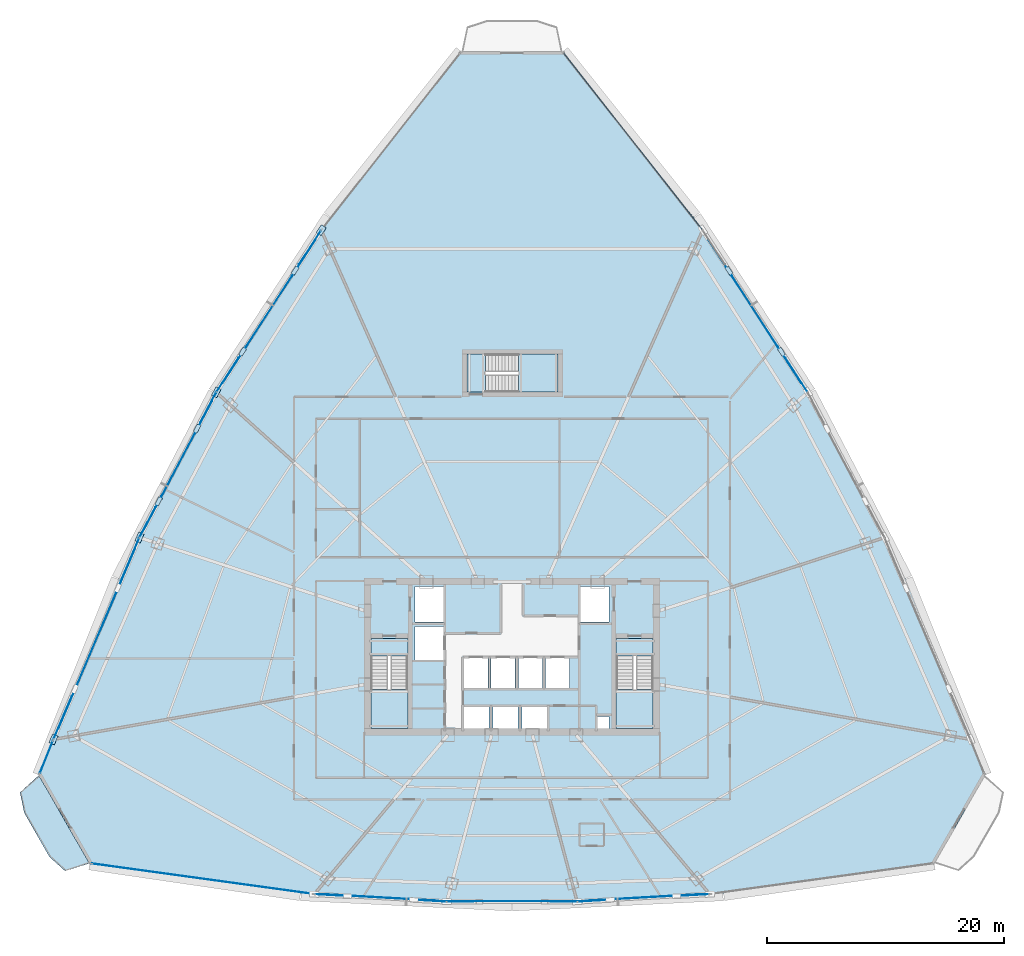
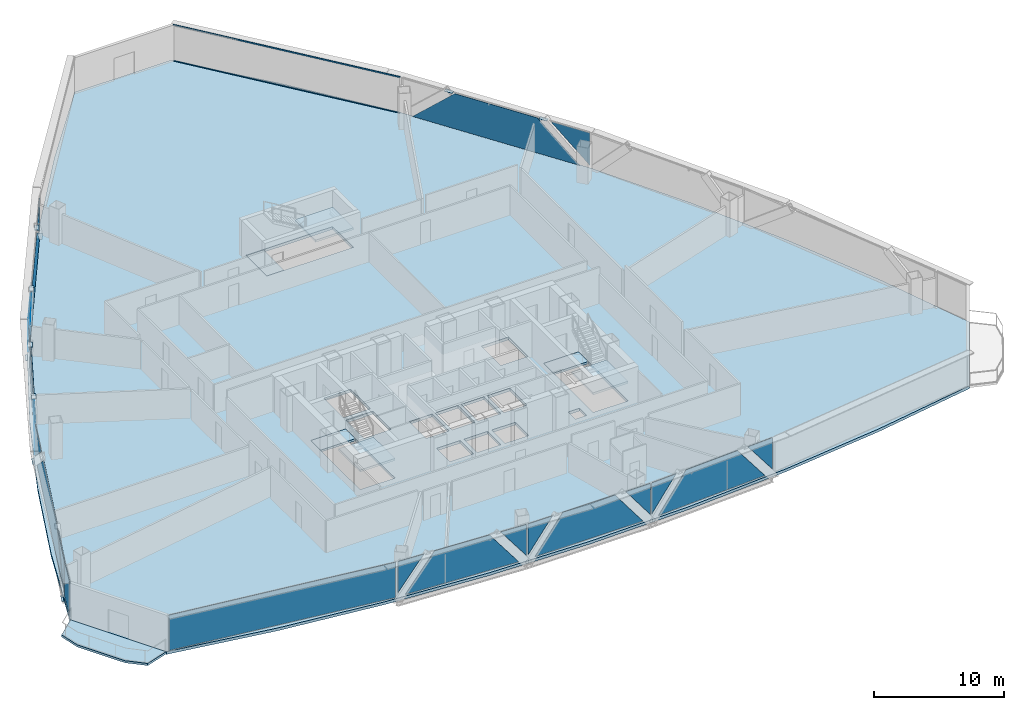
# One storey, part 30 of 39: 32 plates, 8 slabs, 2 members, 13 elements without a shape of their own.
"""IFC4 building model written with IfcOpenShell, lengths in metres."""

from ifc_helpers import new_model, si_unit, direction, frame, origin, origin_2d, place, context, subcontext, project, spatial, polyline, rectangle, hollow_rectangle, outline, extrude, source, transform, mapped, material, layer, layer_set, material_profile, profile_set, type_object, element, aggregate, save


model = new_model("IFC4")

# Units and contexts
model_context = context("Model", 3, precision=1e-05, world=origin(), true_north=direction((0.0, 1.0)))
body_context = subcontext(model_context, "Body", "Model", "MODEL_VIEW")
ifc_project = project(units=[si_unit("LENGTHUNIT", "METRE"), si_unit("AREAUNIT", "SQUARE_METRE"), si_unit("VOLUMEUNIT", "CUBIC_METRE"), si_unit("PLANEANGLEUNIT", "RADIAN"), si_unit("MASSUNIT", "GRAM", prefix="KILO"), si_unit("THERMODYNAMICTEMPERATUREUNIT", "KELVIN"), si_unit("POWERUNIT", "WATT")], contexts=[model_context])

# Site, building, storey
site_placement = place(None, origin())
site = spatial("IfcSite", under=ifc_project, at=site_placement, CompositionType="ELEMENT")
building_placement = place(site_placement, origin())
building = spatial("IfcBuilding", under=site, at=building_placement, Name="Yunzhuo Pagoda Commons", CompositionType="ELEMENT")
storey_placement = place(building_placement, frame((0.0, 0.0, 144.550048828125)))
storey = spatial("IfcBuildingStorey", under=building, at=storey_placement, Name="L36", CompositionType="ELEMENT", Elevation=144.550048828125)

# Curtain wall, members
ifc_material_1 = material(Name="Anodized aluminium 6063-T6", Category="aluminium")
ifc_layer_1 = layer(ifc_material_1, 0.14990234375)
ifc_layer_set_1 = layer_set([ifc_layer_1], Name="Anodized aluminium 6063-T6")
curtain_wall_type = type_object("IfcCurtainWallType", Name="CW-MID Mid-Zone Ribbon Curtain Wall", PredefinedType="NOTDEFINED", material=ifc_layer_set_1)
curtain_wall_1_placement = place(storey_placement, origin())
curtain_wall_1 = element("IfcCurtainWall", 1, at=curtain_wall_1_placement, inside=storey, type_object=curtain_wall_type, Name="L36 curtain wall CW-L36-F2B5", PredefinedType="NOTDEFINED")
ifc_material_profile = material_profile(ifc_material_1, hollow_rectangle(XDim=0.054931640625, YDim=0.1298828125, WallThickness=0.00341796875, at=origin_2d()), Name="Anodized aluminium 6063-T6")
ifc_profile_set = profile_set([ifc_material_profile], Name="Anodized aluminium 6063-T6")
member_type = type_object("IfcMemberType", Name="CW-MID-T Transom RHS 130x55x3.5", PredefinedType="USERDEFINED", material=ifc_profile_set)
shared_shape_1 = source(origin(), body_context, "Body", "SweptSolid", [
    extrude(hollow_rectangle(XDim=0.054931640625, YDim=0.1298828125, WallThickness=0.00341796875, at=origin_2d()), origin(), (0.0, 0.0, 1.0), 18.82861328125),
])
member_1_placement = place(storey_placement, frame((64.017578125, 69.96923828125, 0.02734375), z_axis=(-0.617384524017, 0.786661521561, 0.0), x_axis=(-0.786661521561, -0.617384524017, 0.0)))
member_1 = element("IfcMember", 2, at=member_1_placement, type_object=member_type, Name="CW transom 1.1", ObjectType="TRANSOM", PredefinedType="USERDEFINED", context=body_context, shape_type="MappedRepresentation", body=[
    mapped(shared_shape_1, transform((0.0, 0.0, 0.0), scale=1.0)),
])
member_2_placement = place(storey_placement, frame((64.017578125, 69.96923828125, 3.392333984375), z_axis=(-0.617384524017, 0.786661521561, 0.0), x_axis=(-0.786661521561, -0.617384524017, 0.0)))
member_2 = element("IfcMember", 3, at=member_2_placement, type_object=member_type, Name="CW transom 1.2", ObjectType="TRANSOM", PredefinedType="USERDEFINED", context=body_context, shape_type="MappedRepresentation", body=[
    mapped(shared_shape_1, transform((0.0, 0.0, 0.0), scale=1.0)),
])
aggregate(curtain_wall_1, [member_1, member_2])

# Curtain wall, plates
curtain_wall_2_placement = place(storey_placement, origin())
curtain_wall_2 = element("IfcCurtainWall", 4, at=curtain_wall_2_placement, inside=storey, type_object=curtain_wall_type, Name="L36 curtain wall CW-L36-F1B2", PredefinedType="NOTDEFINED")
ifc_material_2 = material(Name="Tempered low-e double glazing", Category="glass")
ifc_layer_2 = layer(ifc_material_2, 0.028076171875)
ifc_layer_set_2 = layer_set([ifc_layer_2], Name="Tempered low-e double glazing")
plate_type_1 = type_object("IfcPlateType", Name="CW-MID-P Low-E Double Glazing 28", PredefinedType="CURTAIN_PANEL", material=ifc_layer_set_2)
plate_1_placement = place(storey_placement, frame((32.484130859375, 13.762451171875, 1.905517578125), z_axis=(-0.056597401536, -0.998397082397, 0.0), x_axis=(0.998397082397, -0.056597401536, 0.0)))
plate_1 = element("IfcPlate", 5, at=plate_1_placement, type_object=plate_type_1, Name="CW panel 1.1 lite 1", PredefinedType="CURTAIN_PANEL", context=body_context, shape_type="SweptSolid", body=[
    extrude(outline(polyline([(-1.11083984375, -1.45947265625), (1.11083984375, 1.45947265625), (-1.11083984375, 1.45947265625), (-1.11083984375, -1.45947265625)])), origin(), (0.0, 0.0, 1.0), 0.028076171875),
])
plate_2_placement = place(storey_placement, frame((36.91064453125, 13.541748046875, 1.7099609375), z_axis=(-0.056597401536, -0.998397082397, 0.0), x_axis=(0.998397082397, -0.056597401536, 0.0)))
plate_2 = element("IfcPlate", 6, at=plate_2_placement, type_object=plate_type_1, Name="CW panel 1.1 lite 2", PredefinedType="CURTAIN_PANEL", context=body_context, shape_type="SweptSolid", body=[
    extrude(outline(polyline([(-4.885498046875, -1.655029296875), (4.885498046875, -1.655029296875), (2.365478515625, 1.655029296875), (-2.365478515625, 1.655029296875), (-4.885498046875, -1.655029296875)])), origin(), (0.0, 0.0, 1.0), 0.028076171875),
])
plate_3_placement = place(storey_placement, frame((41.33349609375, 13.260986328125, 1.905517578125), z_axis=(-0.056597401536, -0.998397082397, 0.0), x_axis=(0.998397082397, -0.056597401536, 0.0)))
plate_3 = element("IfcPlate", 7, at=plate_3_placement, type_object=plate_type_1, Name="CW panel 1.1 lite 3", PredefinedType="CURTAIN_PANEL", context=body_context, shape_type="SweptSolid", body=[
    extrude(outline(polyline([(-1.11083984375, 1.45947265625), (1.11083984375, -1.45947265625), (1.11083984375, 1.45947265625), (-1.11083984375, 1.45947265625)])), origin(), (0.0, 0.0, 1.0), 0.028076171875),
])
aggregate(curtain_wall_2, [plate_1, plate_2, plate_3])

curtain_wall_3_placement = place(storey_placement, origin())
curtain_wall_3 = element("IfcCurtainWall", 8, at=curtain_wall_3_placement, inside=storey, type_object=curtain_wall_type, Name="L36 curtain wall CW-L36-F1B3", PredefinedType="NOTDEFINED")
plate_4_placement = place(storey_placement, frame((43.648681640625, 13.19482421875, 1.91015625), z_axis=(0.0, -1.0, 0.0), x_axis=(1.0, 0.0, 0.0)))
plate_4 = element("IfcPlate", 9, at=plate_4_placement, type_object=plate_type_1, Name="CW panel 1.1 lite 1", PredefinedType="CURTAIN_PANEL", context=body_context, shape_type="SweptSolid", body=[
    extrude(outline(polyline([(-1.0869140625, -1.454833984375), (1.0869140625, 1.454833984375), (-1.0869140625, 1.454833984375), (-1.0869140625, -1.454833984375)])), origin(), (0.0, 0.0, 1.0), 0.028076171875),
])
plate_5_placement = place(storey_placement, frame((48.0, 13.224609375, 1.7099609375), z_axis=(0.0, -1.0, 0.0), x_axis=(1.0, 0.0, 0.0)))
plate_5 = element("IfcPlate", 10, at=plate_5_placement, type_object=plate_type_1, Name="CW panel 1.1 lite 2", PredefinedType="CURTAIN_PANEL", context=body_context, shape_type="SweptSolid", body=[
    extrude(outline(polyline([(-4.78857421875, -1.655029296875), (4.78857421875, -1.655029296875), (2.31591796875, 1.655029296875), (-2.31591796875, 1.655029296875), (-4.78857421875, -1.655029296875)])), origin(), (0.0, 0.0, 1.0), 0.028076171875),
])
plate_6_placement = place(storey_placement, frame((52.351318359375, 13.19482421875, 1.91015625), z_axis=(0.0, -1.0, 0.0), x_axis=(1.0, 0.0, 0.0)))
plate_6 = element("IfcPlate", 11, at=plate_6_placement, type_object=plate_type_1, Name="CW panel 1.1 lite 3", PredefinedType="CURTAIN_PANEL", context=body_context, shape_type="SweptSolid", body=[
    extrude(outline(polyline([(-1.0869140625, 1.454833984375), (1.0869140625, -1.454833984375), (1.0869140625, 1.454833984375), (-1.0869140625, 1.454833984375)])), origin(), (0.0, 0.0, 1.0), 0.028076171875),
])
aggregate(curtain_wall_3, [plate_4, plate_5, plate_6])

curtain_wall_4_placement = place(storey_placement, origin())
curtain_wall_4 = element("IfcCurtainWall", 12, at=curtain_wall_4_placement, inside=storey, type_object=curtain_wall_type, Name="L36 curtain wall CW-L36-F1B4", PredefinedType="NOTDEFINED")
plate_7_placement = place(storey_placement, frame((54.66650390625, 13.260986328125, 1.905517578125), z_axis=(0.056597401536, -0.998397082397, 0.0), x_axis=(0.998397082397, 0.056597401536, 0.0)))
plate_7 = element("IfcPlate", 13, at=plate_7_placement, type_object=plate_type_1, Name="CW panel 1.1 lite 1", PredefinedType="CURTAIN_PANEL", context=body_context, shape_type="SweptSolid", body=[
    extrude(outline(polyline([(-1.11083984375, -1.45947265625), (1.11083984375, 1.45947265625), (-1.11083984375, 1.45947265625), (-1.11083984375, -1.45947265625)])), origin(), (0.0, 0.0, 1.0), 0.028076171875),
])
plate_8_placement = place(storey_placement, frame((59.08935546875, 13.541748046875, 1.7099609375), z_axis=(0.056597401536, -0.998397082397, 0.0), x_axis=(0.998397082397, 0.056597401536, 0.0)))
plate_8 = element("IfcPlate", 14, at=plate_8_placement, type_object=plate_type_1, Name="CW panel 1.1 lite 2", PredefinedType="CURTAIN_PANEL", context=body_context, shape_type="SweptSolid", body=[
    extrude(outline(polyline([(-4.885498046875, -1.655029296875), (4.885498046875, -1.655029296875), (2.365478515625, 1.655029296875), (-2.365478515625, 1.655029296875), (-4.885498046875, -1.655029296875)])), origin(), (0.0, 0.0, 1.0), 0.028076171875),
])
plate_9_placement = place(storey_placement, frame((63.515869140625, 13.762451171875, 1.905517578125), z_axis=(0.056597401536, -0.998397082397, 0.0), x_axis=(0.998397082397, 0.056597401536, 0.0)))
plate_9 = element("IfcPlate", 15, at=plate_9_placement, type_object=plate_type_1, Name="CW panel 1.1 lite 3", PredefinedType="CURTAIN_PANEL", context=body_context, shape_type="SweptSolid", body=[
    extrude(outline(polyline([(-1.11083984375, 1.45947265625), (1.11083984375, -1.45947265625), (1.11083984375, 1.45947265625), (-1.11083984375, 1.45947265625)])), origin(), (0.0, 0.0, 1.0), 0.028076171875),
])
aggregate(curtain_wall_4, [plate_7, plate_8, plate_9])

curtain_wall_5_placement = place(storey_placement, origin())
curtain_wall_5 = element("IfcCurtainWall", 16, at=curtain_wall_5_placement, inside=storey, type_object=curtain_wall_type, Name="L36 curtain wall CW-L36-F2B4", PredefinedType="NOTDEFINED")
plate_10_placement = place(storey_placement, frame((71.999267578125, 57.642822265625, 1.83544921875), z_axis=(0.839320281383, 0.543637255216, 0.0), x_axis=(-0.543637255216, 0.839320281383, 0.0)))
plate_10 = element("IfcPlate", 17, at=plate_10_placement, type_object=plate_type_1, Name="CW panel 1.1 lite 1", PredefinedType="CURTAIN_PANEL", context=body_context, shape_type="SweptSolid", body=[
    extrude(outline(polyline([(-1.694091796875, -1.529296875), (1.694091796875, 1.529296875), (-1.694091796875, 1.529296875), (-1.694091796875, -1.529296875)])), origin(), (0.0, 0.0, 1.0), 0.028076171875),
])
plate_11_placement = place(storey_placement, frame((68.495849609375, 62.996826171875, 1.7099609375), z_axis=(0.839320281383, 0.543637255216, 0.0), x_axis=(-0.543637255216, 0.839320281383, 0.0)))
plate_11 = element("IfcPlate", 18, at=plate_11_placement, type_object=plate_type_1, Name="CW panel 1.1 lite 2", PredefinedType="CURTAIN_PANEL", context=body_context, shape_type="SweptSolid", body=[
    extrude(outline(polyline([(-7.236328125, -1.655029296875), (7.236328125, -1.655029296875), (3.570068359375, 1.655029296875), (-3.570068359375, 1.655029296875), (-7.236328125, -1.655029296875)])), origin(), (0.0, 0.0, 1.0), 0.028076171875),
])
aggregate(curtain_wall_5, [plate_10, plate_11])

curtain_wall_6_placement = place(storey_placement, origin())
curtain_wall_6 = element("IfcCurtainWall", 19, at=curtain_wall_6_placement, inside=storey, type_object=curtain_wall_type, Name="L36 curtain wall CW-L36-F3B2", PredefinedType="NOTDEFINED")
plate_12_placement = place(storey_placement, frame((30.957275390625, 68.38330078125, 1.83544921875), z_axis=(-0.839320281383, 0.543637255216, 0.0), x_axis=(-0.543637255216, -0.839320281383, 0.0)))
plate_12 = element("IfcPlate", 20, at=plate_12_placement, type_object=plate_type_1, Name="CW panel 1.1 lite 1", PredefinedType="CURTAIN_PANEL", context=body_context, shape_type="SweptSolid", body=[
    extrude(outline(polyline([(-1.694091796875, -1.529296875), (1.694091796875, 1.529296875), (-1.694091796875, 1.529296875), (-1.694091796875, -1.529296875)])), origin(), (0.0, 0.0, 1.0), 0.028076171875),
])
plate_13_placement = place(storey_placement, frame((27.504150390625, 62.996826171875, 1.7099609375), z_axis=(-0.839320281383, 0.543637255216, 0.0), x_axis=(-0.543637255216, -0.839320281383, 0.0)))
plate_13 = element("IfcPlate", 21, at=plate_13_placement, type_object=plate_type_1, Name="CW panel 1.1 lite 2", PredefinedType="CURTAIN_PANEL", context=body_context, shape_type="SweptSolid", body=[
    extrude(outline(polyline([(-7.236328125, -1.655029296875), (7.236328125, -1.655029296875), (3.570068359375, 1.655029296875), (-3.570068359375, 1.655029296875), (-7.236328125, -1.655029296875)])), origin(), (0.0, 0.0, 1.0), 0.028076171875),
])
plate_14_placement = place(storey_placement, frame((24.000732421875, 57.642822265625, 1.83544921875), z_axis=(-0.839320281383, 0.543637255216, 0.0), x_axis=(-0.543637255216, -0.839320281383, 0.0)))
plate_14 = element("IfcPlate", 22, at=plate_14_placement, type_object=plate_type_1, Name="CW panel 1.1 lite 3", PredefinedType="CURTAIN_PANEL", context=body_context, shape_type="SweptSolid", body=[
    extrude(outline(polyline([(-1.694091796875, 1.529296875), (1.694091796875, -1.529296875), (1.694091796875, 1.529296875), (-1.694091796875, 1.529296875)])), origin(), (0.0, 0.0, 1.0), 0.028076171875),
])
aggregate(curtain_wall_6, [plate_12, plate_13, plate_14])

curtain_wall_7_placement = place(storey_placement, origin())
curtain_wall_7 = element("IfcCurtainWall", 23, at=curtain_wall_7_placement, inside=storey, type_object=curtain_wall_type, Name="L36 curtain wall CW-L36-F3B3", PredefinedType="NOTDEFINED")
plate_15_placement = place(storey_placement, frame((22.35693359375, 54.866455078125, 1.861328125), z_axis=(-0.883879096849, 0.467715449984, 0.0), x_axis=(-0.467715449984, -0.883879096849, 0.0)))
plate_15 = element("IfcPlate", 24, at=plate_15_placement, type_object=plate_type_1, Name="CW panel 1.1 lite 1", PredefinedType="CURTAIN_PANEL", context=body_context, shape_type="SweptSolid", body=[
    extrude(outline(polyline([(-1.416748046875, -1.503662109375), (1.416748046875, 1.503662109375), (-1.416748046875, 1.503662109375), (-1.416748046875, -1.503662109375)])), origin(), (0.0, 0.0, 1.0), 0.028076171875),
])
plate_16_placement = place(storey_placement, frame((19.830810546875, 50.0283203125, 1.7099609375), z_axis=(-0.883879096849, 0.467715449984, 0.0), x_axis=(-0.467715449984, -0.883879096849, 0.0)))
plate_16 = element("IfcPlate", 25, at=plate_16_placement, type_object=plate_type_1, Name="CW panel 1.1 lite 2", PredefinedType="CURTAIN_PANEL", context=body_context, shape_type="SweptSolid", body=[
    extrude(outline(polyline([(-6.115966796875, -1.655029296875), (6.115966796875, -1.655029296875), (2.997314453125, 1.655029296875), (-2.997314453125, 1.655029296875), (-6.115966796875, -1.655029296875)])), origin(), (0.0, 0.0, 1.0), 0.028076171875),
])
plate_17_placement = place(storey_placement, frame((17.25146484375, 45.218017578125, 1.861328125), z_axis=(-0.883879096849, 0.467715449984, 0.0), x_axis=(-0.467715449984, -0.883879096849, 0.0)))
plate_17 = element("IfcPlate", 26, at=plate_17_placement, type_object=plate_type_1, Name="CW panel 1.1 lite 3", PredefinedType="CURTAIN_PANEL", context=body_context, shape_type="SweptSolid", body=[
    extrude(outline(polyline([(-1.416748046875, 1.503662109375), (1.416748046875, -1.503662109375), (1.416748046875, 1.503662109375), (-1.416748046875, 1.503662109375)])), origin(), (0.0, 0.0, 1.0), 0.028076171875),
])
aggregate(curtain_wall_7, [plate_15, plate_16, plate_17])

curtain_wall_8_placement = place(storey_placement, origin())
curtain_wall_8 = element("IfcCurtainWall", 27, at=curtain_wall_8_placement, inside=storey, type_object=curtain_wall_type, Name="L36 curtain wall CW-L36-F3B4", PredefinedType="NOTDEFINED")
plate_18_placement = place(storey_placement, frame((15.775634765625, 42.068359375, 1.81884765625), z_axis=(-0.920072228059, 0.391748765351, 0.0), x_axis=(-0.391748765351, -0.920072228059, 0.0)))
plate_18 = element("IfcPlate", 28, at=plate_18_placement, type_object=plate_type_1, Name="CW panel 1.1 lite 1", PredefinedType="CURTAIN_PANEL", context=body_context, shape_type="SweptSolid", body=[
    extrude(outline(polyline([(-1.94580078125, -1.5458984375), (1.945556640625, 1.5458984375), (-1.94580078125, 1.5458984375), (-1.94580078125, -1.5458984375)])), origin(), (0.0, 0.0, 1.0), 0.028076171875),
])
plate_19_placement = place(storey_placement, frame((12.960205078125, 35.379638671875, 1.7099609375), z_axis=(-0.920072228059, 0.391748765351, 0.0), x_axis=(-0.391748765351, -0.920072228059, 0.0)))
plate_19 = element("IfcPlate", 29, at=plate_19_placement, type_object=plate_type_1, Name="CW panel 1.1 lite 2", PredefinedType="CURTAIN_PANEL", context=body_context, shape_type="SweptSolid", body=[
    extrude(outline(polyline([(-8.25537109375, -1.655029296875), (8.25537109375, -1.655029296875), (4.089599609375, 1.655029296875), (-4.089599609375, 1.655029296875), (-8.25537109375, -1.655029296875)])), origin(), (0.0, 0.0, 1.0), 0.028076171875),
])
plate_20_placement = place(storey_placement, frame((10.089599609375, 28.71435546875, 1.81884765625), z_axis=(-0.920072228059, 0.391748765351, 0.0), x_axis=(-0.391748765351, -0.920072228059, 0.0)))
plate_20 = element("IfcPlate", 30, at=plate_20_placement, type_object=plate_type_1, Name="CW panel 1.1 lite 3", PredefinedType="CURTAIN_PANEL", context=body_context, shape_type="SweptSolid", body=[
    extrude(outline(polyline([(-1.945556640625, 1.5458984375), (1.94580078125, -1.5458984375), (1.94580078125, 1.5458984375), (-1.945556640625, 1.5458984375)])), origin(), (0.0, 0.0, 1.0), 0.028076171875),
])
aggregate(curtain_wall_8, [plate_18, plate_19, plate_20])

# Slab
ifc_material_3 = material(Name="Concrete C40", Category="concrete")
ifc_layer_3 = layer(ifc_material_3, 0.199951171875)
ifc_layer_set_3 = layer_set([ifc_layer_3], Name="Concrete C40")
slab_type_1 = type_object("IfcSlabType", Name="SL-BAL Vertex Balcony Deck Slab 200", PredefinedType="FLOOR", material=ifc_layer_set_3)
slab_1_placement = place(storey_placement, frame((0.0, 0.0, -0.199951171875)))
element("IfcSlab", 31, at=slab_1_placement, inside=storey, type_object=slab_type_1, Name="L36 corner balcony V1", PredefinedType="FLOOR", context=body_context, shape_type="SweptSolid", body=[
    extrude(outline(polyline([(8.0595703125, 23.840576171875), (12.320556640625, 16.419189453125), (10.279541015625, 15.766357421875), (8.96142578125, 16.95751953125), (6.830810546875, 20.668212890625), (6.466796875, 22.406982421875), (8.0595703125, 23.840576171875)])), origin(), (0.0, 0.0, 1.0), 0.199951171875),
])

# Stair, slabs
stair_type_1 = type_object("IfcStairType", Name="ST-C1 Core Smokeproof Stair ST1", PredefinedType="HALF_TURN_STAIR", material=ifc_material_3)
stair_1_placement = place(storey_placement, origin())
stair_1 = element("IfcStair", 32, at=stair_1_placement, inside=storey, type_object=stair_type_1, Name="L36 Core smokeproof stair ST1", PredefinedType="HALF_TURN_STAIR")
ifc_layer_4 = layer(ifc_material_3, 0.199951171875)
ifc_layer_set_4 = layer_set([ifc_layer_4], Name="Concrete C40")
slab_type_2 = type_object("IfcSlabType", Name="SL-LND1 Stair Landing Slab 200", PredefinedType="LANDING", material=ifc_layer_set_4)
slab_2_placement = place(storey_placement, frame((0.0, 0.0, 1.639892578125)))
slab_2 = element("IfcSlab", 33, at=slab_2_placement, type_object=slab_type_2, Name="ST1 landing 1", PredefinedType="LANDING", context=body_context, shape_type="SweptSolid", body=[
    extrude(outline(polyline([(36.10009765625, 31.10009765625), (36.10009765625, 27.800048828125), (39.199951171875, 27.800048828125), (39.199951171875, 31.10009765625), (36.10009765625, 31.10009765625)])), origin(), (0.0, 0.0, 1.0), 0.199951171875),
])
slab_3_placement = place(storey_placement, frame((0.0, 0.0, -0.199951171875)))
slab_3 = element("IfcSlab", 34, at=slab_3_placement, type_object=slab_type_2, Name="ST1 floor landing L36", PredefinedType="LANDING", context=body_context, shape_type="SweptSolid", body=[
    extrude(outline(polyline([(36.10009765625, 35.39990234375), (36.10009765625, 33.89990234375), (39.199951171875, 33.89990234375), (39.199951171875, 35.39990234375), (36.10009765625, 35.39990234375)])), origin(), (0.0, 0.0, 1.0), 0.199951171875),
])
aggregate(stair_1, [slab_2, slab_3])

stair_type_2 = type_object("IfcStairType", Name="ST-C2 Core Smokeproof Stair ST2", PredefinedType="HALF_TURN_STAIR", material=ifc_material_3)
stair_2_placement = place(storey_placement, origin())
stair_2 = element("IfcStair", 35, at=stair_2_placement, inside=storey, type_object=stair_type_2, Name="L36 Core smokeproof stair ST2", PredefinedType="HALF_TURN_STAIR")
ifc_layer_5 = layer(ifc_material_3, 0.201904296875)
ifc_layer_set_5 = layer_set([ifc_layer_5], Name="Concrete C40")
slab_type_3 = type_object("IfcSlabType", Name="SL-LND2 Stair Landing Slab 202", PredefinedType="LANDING", material=ifc_layer_set_5)
slab_4_placement = place(storey_placement, frame((0.0, 0.0, 1.639892578125)))
slab_4 = element("IfcSlab", 36, at=slab_4_placement, type_object=slab_type_3, Name="ST2 landing 1", PredefinedType="LANDING", context=body_context, shape_type="SweptSolid", body=[
    extrude(outline(polyline([(56.800048828125, 31.10009765625), (56.800048828125, 27.800048828125), (59.89990234375, 27.800048828125), (59.89990234375, 31.10009765625), (56.800048828125, 31.10009765625)])), origin(), (0.0, 0.0, 1.0), 0.199951171875),
])
slab_5_placement = place(storey_placement, frame((0.0, 0.0, -0.199951171875)))
slab_5 = element("IfcSlab", 37, at=slab_5_placement, type_object=slab_type_3, Name="ST2 floor landing L36", PredefinedType="LANDING", context=body_context, shape_type="SweptSolid", body=[
    extrude(outline(polyline([(56.800048828125, 35.39990234375), (56.800048828125, 33.89990234375), (59.89990234375, 33.89990234375), (59.89990234375, 35.39990234375), (56.800048828125, 35.39990234375)])), origin(), (0.0, 0.0, 1.0), 0.199951171875),
])
aggregate(stair_2, [slab_4, slab_5])

stair_type_3 = type_object("IfcStairType", Name="ST-C3 North Tower Smokeproof Stair ST3", PredefinedType="HALF_TURN_STAIR", material=ifc_material_3)
stair_3_placement = place(storey_placement, origin())
stair_3 = element("IfcStair", 38, at=stair_3_placement, inside=storey, type_object=stair_type_3, Name="L36 North tower smokeproof stair ST3", PredefinedType="HALF_TURN_STAIR")
ifc_layer_6 = layer(ifc_material_3, 0.2041015625)
ifc_layer_set_6 = layer_set([ifc_layer_6], Name="Concrete C40")
slab_type_4 = type_object("IfcSlabType", Name="SL-LND5 North Landing Slab 204", PredefinedType="LANDING", material=ifc_layer_set_6)
slab_6_placement = place(storey_placement, frame((0.0, 0.0, 1.639892578125)))
slab_6 = element("IfcSlab", 39, at=slab_6_placement, type_object=slab_type_4, Name="ST3 landing 1", PredefinedType="LANDING", context=body_context, shape_type="SweptSolid", body=[
    extrude(outline(polyline([(48.550048828125, 56.199951171875), (51.89990234375, 56.199951171875), (51.89990234375, 59.39990234375), (48.550048828125, 59.39990234375), (48.550048828125, 56.199951171875)])), origin(), (0.0, 0.0, 1.0), 0.199951171875),
])
slab_7_placement = place(storey_placement, frame((0.0, 0.0, -0.199951171875)))
slab_7 = element("IfcSlab", 40, at=slab_7_placement, type_object=slab_type_4, Name="ST3 floor landing L36", PredefinedType="LANDING", context=body_context, shape_type="SweptSolid", body=[
    extrude(outline(polyline([(44.199951171875, 56.199951171875), (45.75, 56.199951171875), (45.75, 59.39990234375), (44.199951171875, 59.39990234375), (44.199951171875, 56.199951171875)])), origin(), (0.0, 0.0, 1.0), 0.199951171875),
])
aggregate(stair_3, [slab_6, slab_7])

# Slab
ifc_layer_7 = layer(ifc_material_3, 0.260009765625)
ifc_layer_set_7 = layer_set([ifc_layer_7], Name="Concrete C40")
slab_type_5 = type_object("IfcSlabType", Name="SL-TWR Typical Tower Floor Slab 260", PredefinedType="FLOOR", material=ifc_layer_set_7)
slab_8_placement = place(storey_placement, frame((0.0, 0.0, -0.260009765625)))
element("IfcSlab", 41, at=slab_8_placement, inside=storey, type_object=slab_type_5, Name="L36 structural floor slab", PredefinedType="FLOOR", context=body_context, shape_type="SweptSolid", body=[
    extrude(outline(polyline([(11.211181640625, 32.248291015625), (14.733642578125, 40.4345703125), (18.630859375, 48.402099609375), (22.90283203125, 56.15087890625), (27.549560546875, 63.680908203125), (32.5712890625, 70.9921875), (37.9677734375, 78.084716796875), (43.739013671875, 84.958251953125), (52.260986328125, 84.958251953125), (58.0322265625, 78.084716796875), (63.4287109375, 70.9921875), (68.450439453125, 63.680908203125), (73.09716796875, 56.15087890625), (77.369140625, 48.402099609375), (81.266357421875, 40.4345703125), (84.788818359375, 32.248291015625), (87.936279296875, 23.843017578125), (83.67529296875, 16.421630859375), (74.75634765625, 14.902587890625), (65.837646484375, 13.817626953125), (56.918701171875, 13.166748046875), (48.0, 12.94970703125), (39.081298828125, 13.166748046875), (30.162353515625, 13.817626953125), (21.24365234375, 14.902587890625), (12.32470703125, 16.421630859375), (8.063720703125, 23.843017578125), (11.211181640625, 32.248291015625)]), holes=[polyline([(46.050048828125, 29.64990234375), (43.949951171875, 29.64990234375), (43.949951171875, 27.60009765625), (46.050048828125, 27.60009765625), (46.050048828125, 29.64990234375)]), polyline([(48.5, 27.60009765625), (48.5, 29.64990234375), (46.39990234375, 29.64990234375), (46.39990234375, 27.60009765625), (48.5, 27.60009765625)]), polyline([(36.10009765625, 27.800048828125), (39.199951171875, 27.800048828125), (39.199951171875, 35.39990234375), (36.10009765625, 35.39990234375), (36.10009765625, 27.800048828125)]), polyline([(45.969970703125, 31.199951171875), (45.969970703125, 33.800048828125), (43.929931640625, 33.800048828125), (43.929931640625, 31.199951171875), (45.969970703125, 31.199951171875)]), polyline([(48.27001953125, 31.199951171875), (48.27001953125, 33.800048828125), (46.22998046875, 33.800048828125), (46.22998046875, 31.199951171875), (48.27001953125, 31.199951171875)]), polyline([(42.199951171875, 33.60009765625), (42.199951171875, 36.39990234375), (39.800048828125, 36.39990234375), (39.800048828125, 33.60009765625), (42.199951171875, 33.60009765625)]), polyline([(42.199951171875, 36.800048828125), (42.199951171875, 39.800048828125), (39.800048828125, 39.800048828125), (39.800048828125, 36.800048828125), (42.199951171875, 36.800048828125)]), polyline([(56.179931640625, 28.800048828125), (55.179931640625, 28.800048828125), (55.179931640625, 27.699951171875), (56.179931640625, 27.699951171875), (56.179931640625, 28.800048828125)]), polyline([(50.949951171875, 27.60009765625), (50.949951171875, 29.64990234375), (48.85009765625, 29.64990234375), (48.85009765625, 27.60009765625), (50.949951171875, 27.60009765625)]), polyline([(56.800048828125, 27.800048828125), (59.89990234375, 27.800048828125), (59.89990234375, 35.39990234375), (56.800048828125, 35.39990234375), (56.800048828125, 27.800048828125)]), polyline([(50.570068359375, 31.199951171875), (50.570068359375, 33.800048828125), (48.530029296875, 33.800048828125), (48.530029296875, 31.199951171875), (50.570068359375, 31.199951171875)]), polyline([(52.8701171875, 31.199951171875), (52.8701171875, 33.800048828125), (50.830078125, 33.800048828125), (50.830078125, 31.199951171875), (52.8701171875, 31.199951171875)]), polyline([(56.199951171875, 36.800048828125), (56.199951171875, 39.800048828125), (53.800048828125, 39.800048828125), (53.800048828125, 36.800048828125), (56.199951171875, 36.800048828125)]), polyline([(51.89990234375, 56.199951171875), (51.89990234375, 59.39990234375), (44.199951171875, 59.39990234375), (44.199951171875, 56.199951171875), (51.89990234375, 56.199951171875)])]), origin(), (0.0, 0.0, 1.0), 0.260009765625),
])

# Plates
ifc_material_4 = material(Name="Structural steel Q355B", Category="steel")
ifc_layer_8 = layer(ifc_material_4, 0.028076171875)
ifc_layer_set_8 = layer_set([ifc_layer_8], Name="Structural steel Q355B")
plate_type_2 = type_object("IfcPlateType", Name="SP-ND1 Lattice Node Cap Plate 800x500x28", PredefinedType="USERDEFINED", material=ifc_layer_set_8)
shared_shape_2 = source(origin(), body_context, "Body", "SweptSolid", [
    extrude(rectangle(XDim=0.800048828125, YDim=0.5, at=origin_2d()), origin(), (0.0, 0.0, 1.0), 0.028076171875),
])
for number, where, z_axis, x_axis, name in (
    (42, (31.899169921875, 69.863037109375, -0.27392578125), (0.0, 0.0, 1.0), (-0.543643297406, -0.839316367758, 0.0), "L36 diamond node plate F3.1A"),
    (43, (23.035400390625, 56.17822265625, -0.27392578125), (0.0, 0.0, 1.0), (-0.467713855613, -0.883879940528, 0.0), "L36 diamond node plate F3.2A"),
    (44, (16.54833984375, 43.919189453125, -0.27392578125), (0.0, 0.0, 1.0), (-0.391743040033, -0.920074665767, 0.0), "L36 diamond node plate F3.3A"),
    (45, (9.291015625, 26.87451171875, -0.27392578125), (0.0, 0.0, 1.0), (-0.391743040033, -0.920074665767, 0.0), "L36 diamond node plate F3.3B"),
):
    element("IfcPlate", number, at=place(storey_placement, frame(where, z_axis=z_axis, x_axis=x_axis)), inside=storey, type_object=plate_type_2, Name=name, ObjectType="STIFFENER_PLATE", PredefinedType="USERDEFINED", context=body_context, shape_type="MappedRepresentation", body=[
        mapped(shared_shape_2, transform((0.0, 0.0, 0.0), scale=1.0)),
    ])
shared_shape_3 = source(origin(), body_context, "Body", "SweptSolid", [
    extrude(rectangle(XDim=0.699951171875, YDim=0.35009765625, at=origin_2d()), origin(), (0.0, 0.0, 1.0), 0.035888671875),
])
for number, where, z_axis, x_axis, name in (
    (46, (70.748779296875, 59.599609375, 3.3818359375), (0.0, 0.0, 1.0), (-0.543643297406, 0.839316367758, 0.0), "L36 setback lattice tie plate F2.3L"),
    (47, (66.31689453125, 66.44189453125, 3.3818359375), (0.0, 0.0, 1.0), (-0.543643297406, 0.839316367758, 0.0), "L36 setback lattice tie plate F2.3R"),
    (48, (29.68310546875, 66.44189453125, 3.3818359375), (0.0, 0.0, 1.0), (-0.543643297406, -0.839316367758, 0.0), "L36 setback lattice tie plate F3.1L"),
    (49, (25.251220703125, 59.599609375, 3.3818359375), (0.0, 0.0, 1.0), (-0.543643297406, -0.839316367758, 0.0), "L36 setback lattice tie plate F3.1R"),
    (50, (21.41357421875, 53.113525390625, 3.3818359375), (0.0, 0.0, 1.0), (-0.467713855613, -0.883879940528, 0.0), "L36 setback lattice tie plate F3.2L"),
    (51, (18.169921875, 46.98388671875, 3.3818359375), (0.0, 0.0, 1.0), (-0.467713855613, -0.883879940528, 0.0), "L36 setback lattice tie plate F3.2R"),
):
    element("IfcPlate", number, at=place(storey_placement, frame(where, z_axis=z_axis, x_axis=x_axis)), inside=storey, type_object=plate_type_2, Name=name, ObjectType="STIFFENER_PLATE", PredefinedType="USERDEFINED", context=body_context, shape_type="MappedRepresentation", body=[
        mapped(shared_shape_3, transform((0.0, 0.0, 0.0), scale=1.0)),
    ])

# Curtain wall, plate
curtain_wall_9_placement = place(storey_placement, origin())
curtain_wall_9 = element("IfcCurtainWall", 52, at=curtain_wall_9_placement, inside=storey, type_object=curtain_wall_type, Name="L36 curtain wall CW-L36-F1B1", PredefinedType="NOTDEFINED")
shared_shape_4 = source(origin(), body_context, "Body", "SweptSolid", [
    extrude(rectangle(XDim=18.811767578125, YDim=0.028076171875, at=origin_2d()), origin(), (0.0, 0.0, 1.0), 3.31005859375),
])
plate_21_placement = place(storey_placement, frame((21.862548828125, 15.114501953125, 0.054931640625), z_axis=(0.0, 0.0, 1.0), x_axis=(0.990678510165, -0.136220738131, 0.0)))
plate_21 = element("IfcPlate", 53, at=plate_21_placement, type_object=plate_type_1, Name="CW panel 1.1", PredefinedType="CURTAIN_PANEL", context=body_context, shape_type="MappedRepresentation", body=[
    mapped(shared_shape_4, transform((0.0, 0.0, 0.0), scale=1.0)),
])
aggregate(curtain_wall_9, [plate_21])

curtain_wall_10_placement = place(storey_placement, origin())
curtain_wall_10 = element("IfcCurtainWall", 54, at=curtain_wall_10_placement, inside=storey, type_object=curtain_wall_type, Name="L36 curtain wall CW-L36-F3B5", PredefinedType="NOTDEFINED")
shared_shape_5 = source(origin(), body_context, "Body", "SweptSolid", [
    extrude(rectangle(XDim=2.91455078125, YDim=0.028076171875, at=origin_2d()), origin(), (0.0, 0.0, 1.0), 3.31005859375),
])
plate_22_placement = place(storey_placement, frame((8.696044921875, 25.3974609375, 0.054931640625), z_axis=(0.0, 0.0, 1.0), x_axis=(-0.373616750166, -0.927583162846, 0.0)))
plate_22 = element("IfcPlate", 55, at=plate_22_placement, type_object=plate_type_1, Name="CW panel 1.1", PredefinedType="CURTAIN_PANEL", context=body_context, shape_type="MappedRepresentation", body=[
    mapped(shared_shape_5, transform((0.0, 0.0, 0.0), scale=1.0)),
])
aggregate(curtain_wall_10, [plate_22])

save(model, "model.ifc")
